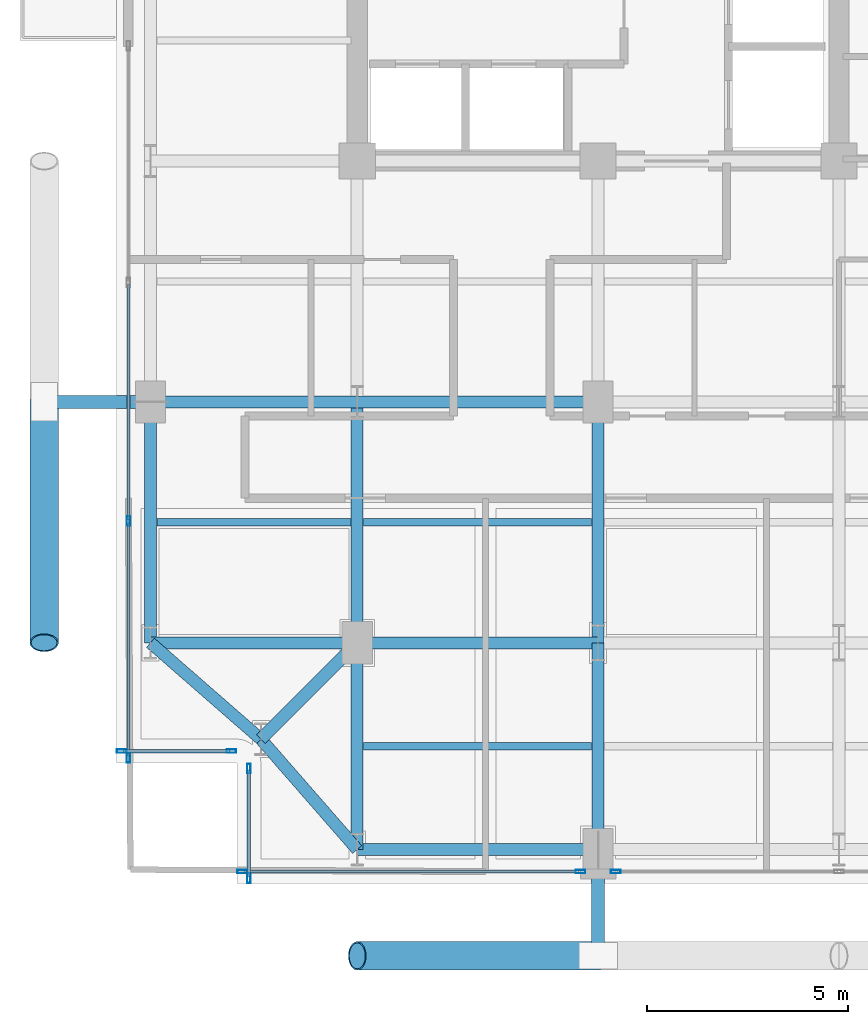
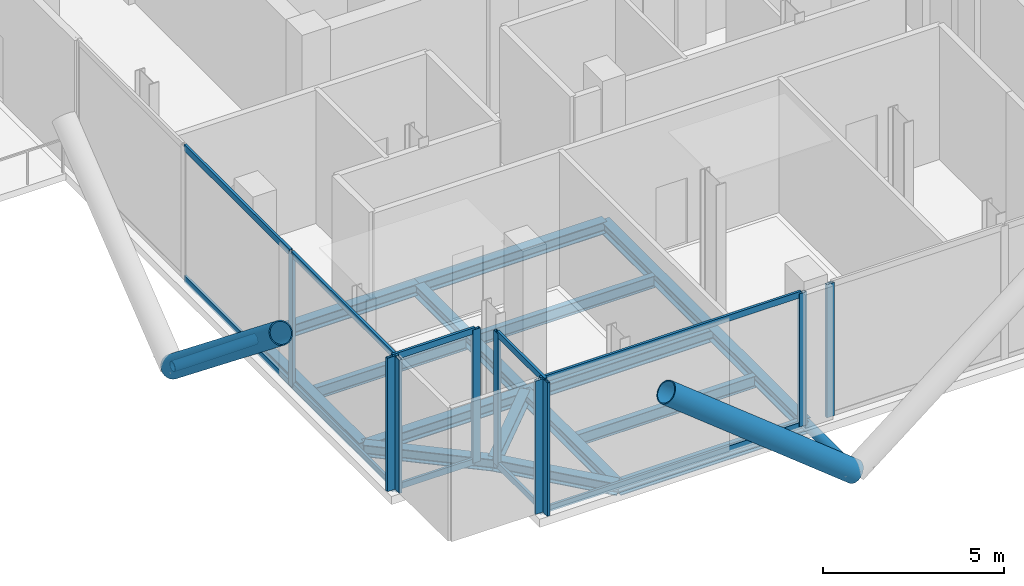
# One storey, part 2 of 22: 23 members, 16 beams, 5 elements without a shape of their own.
"""IFC4 building model written with IfcOpenShell, lengths in metres."""

from ifc_helpers import new_model, si_unit, direction, frame, origin, origin_2d, place, context, subcontext, project, spatial, hollow_rectangle, hollow_circle, i_section, extrude, material, layer, layer_set, material_profile, profile_set, type_object, element, aggregate, save


model = new_model("IFC4")

# Units and contexts
model_context = context("Model", 3, precision=1e-05, world=origin(), true_north=direction((0.0, 1.0)))
body_context = subcontext(model_context, "Body", "Model", "MODEL_VIEW")
ifc_project = project(units=[si_unit("LENGTHUNIT", "METRE"), si_unit("AREAUNIT", "SQUARE_METRE"), si_unit("VOLUMEUNIT", "CUBIC_METRE"), si_unit("PLANEANGLEUNIT", "RADIAN"), si_unit("MASSUNIT", "GRAM", prefix="KILO"), si_unit("THERMODYNAMICTEMPERATUREUNIT", "KELVIN"), si_unit("POWERUNIT", "WATT")], contexts=[model_context])

# Site, building, storey
site_placement = place(None, origin())
site = spatial("IfcSite", under=ifc_project, at=site_placement, CompositionType="ELEMENT")
building_placement = place(site_placement, origin())
building = spatial("IfcBuilding", under=site, at=building_placement, Name="Svarakhadi Broadcast Tower", CompositionType="ELEMENT")
storey_placement = place(building_placement, frame((0.0, 0.0, 199.199951171875)))
storey = spatial("IfcBuildingStorey", under=building, at=storey_placement, Name="L49", CompositionType="ELEMENT", Elevation=199.199951171875)

# Beams
ifc_material_1 = material(Name="Steel S355J2 (IS 2062 E350C)", Category="steel")
ifc_material_profile_1 = material_profile(ifc_material_1, i_section(OverallWidth=0.179931640625, OverallDepth=0.39990234375, WebThickness=0.008544921875, FlangeThickness=0.013427734375, FilletRadius=0.02099609375, at=origin_2d()), Name="NPB 400x180x66")
ifc_profile_set_1 = profile_set([ifc_material_profile_1], Name="Steel S355J2 (IS 2062 E350C)")
beam_type_1 = type_object("IfcBeamType", Name="Beam_NPB400", PredefinedType="BEAM", material=ifc_profile_set_1)
beam_1_placement = place(storey_placement, frame((1.010009765625, 9.0, -0.474853515625), z_axis=(1.0, 0.0, 0.0), x_axis=(0.0, 1.0, 0.0)))
element("IfcBeam", 1, at=beam_1_placement, inside=storey, type_object=beam_type_1, Name="L49 Secondary Composite Beam SB001", PredefinedType="BEAM", context=body_context, shape_type="SweptSolid", body=[
    extrude(i_section(OverallWidth=0.179931640625, OverallDepth=0.39990234375, WebThickness=0.008544921875, FlangeThickness=0.013427734375, FilletRadius=0.02099609375, at=origin_2d()), origin(), (0.0, 0.0, 1.0), 4.830078125),
])
for number, where, z_axis, x_axis, name in (
    (2, (6.159912109375, 3.425048828125, -0.474853515625), (1.0, 0.0, 0.0), (0.0, 1.0, 0.0), "L49 Secondary Composite Beam SB005"),
    (3, (6.159912109375, 9.0, -0.474853515625), (1.0, 0.0, 0.0), (0.0, 1.0, 0.0), "L49 Secondary Composite Beam SB006"),
):
    element("IfcBeam", number, at=place(storey_placement, frame(where, z_axis=z_axis, x_axis=x_axis)), inside=storey, type_object=beam_type_1, Name=name, PredefinedType="BEAM", context=body_context, shape_type="SweptSolid", body=[
        extrude(i_section(OverallWidth=0.179931640625, OverallDepth=0.39990234375, WebThickness=0.008544921875, FlangeThickness=0.013427734375, FilletRadius=0.02099609375, at=origin_2d()), origin(), (0.0, 0.0, 1.0), 5.68017578125),
    ])

# Curtain wall, members
ifc_material_2 = material(Name="Anodised Bronze Aluminium AA 6063-T6", Category="aluminium")
ifc_layer = layer(ifc_material_2, 0.239990234375)
ifc_layer_set = layer_set([ifc_layer], Name="Anodised Bronze Aluminium AA 6063-T6")
curtain_wall_type = type_object("IfcCurtainWallType", Name="CW_Sys_06", PredefinedType="NOTDEFINED", material=ifc_layer_set)
curtain_wall_1_placement = place(storey_placement, origin())
curtain_wall_1 = element("IfcCurtainWall", 4, at=curtain_wall_1_placement, inside=storey, type_object=curtain_wall_type, Name="L49 Unitised Facade Curtain Wall 01", PredefinedType="NOTDEFINED")
ifc_material_profile_2 = material_profile(ifc_material_2, hollow_rectangle(XDim=0.090087890625, YDim=0.239990234375, WallThickness=0.006103515625, at=origin_2d()), Name="ALU MULLION 240x90x6")
ifc_profile_set_2 = profile_set([ifc_material_profile_2], Name="Anodised Bronze Aluminium AA 6063-T6")
member_type_1 = type_object("IfcMemberType", Name="CW_Sys_06_Mul", PredefinedType="MULLION", material=ifc_profile_set_2)
member_1_placement = place(storey_placement, frame((2.864990234375, 3.300048828125, 0.0), z_axis=(0.0, 0.0, 1.0), x_axis=(0.0, -1.0, 0.0)))
member_1 = element("IfcMember", 5, at=member_1_placement, type_object=member_type_1, Name="CW-06 mullion 1", PredefinedType="MULLION", context=body_context, shape_type="SweptSolid", body=[
    extrude(hollow_rectangle(XDim=0.090087890625, YDim=0.239990234375, WallThickness=0.006103515625, at=origin_2d()), origin(), (0.0, 0.0, 1.0), 4.5),
])
member_2_placement = place(storey_placement, frame((0.135009765625, 3.300048828125, 0.0), z_axis=(0.0, 0.0, 1.0), x_axis=(0.0, -1.0, 0.0)))
member_2 = element("IfcMember", 6, at=member_2_placement, type_object=member_type_1, Name="CW-06 mullion 2", PredefinedType="MULLION", context=body_context, shape_type="SweptSolid", body=[
    extrude(hollow_rectangle(XDim=0.090087890625, YDim=0.239990234375, WallThickness=0.006103515625, at=origin_2d()), origin(), (0.0, 0.0, 1.0), 4.5),
])

curtain_wall_2_placement = place(storey_placement, origin())
curtain_wall_2 = element("IfcCurtainWall", 7, at=curtain_wall_2_placement, inside=storey, type_object=curtain_wall_type, Name="L49 West Curtain Wall 02", PredefinedType="NOTDEFINED")
member_3_placement = place(storey_placement, frame((0.300048828125, 3.135009765625, 0.0), z_axis=(0.0, 0.0, 1.0), x_axis=(-1.0, 0.0, 0.0)))
member_3 = element("IfcMember", 8, at=member_3_placement, type_object=member_type_1, Name="CW-06 mullion 1", PredefinedType="MULLION", context=body_context, shape_type="SweptSolid", body=[
    extrude(hollow_rectangle(XDim=0.090087890625, YDim=0.239990234375, WallThickness=0.006103515625, at=origin_2d()), origin(), (0.0, 0.0, 1.0), 4.5),
])
member_4_placement = place(storey_placement, frame((0.300048828125, 9.030029296875, 0.0), z_axis=(0.0, 0.0, 1.0), x_axis=(-1.0, 0.0, 0.0)))
member_4 = element("IfcMember", 9, at=member_4_placement, type_object=member_type_1, Name="CW-06 mullion 2", PredefinedType="MULLION", context=body_context, shape_type="SweptSolid", body=[
    extrude(hollow_rectangle(XDim=0.090087890625, YDim=0.239990234375, WallThickness=0.006103515625, at=origin_2d()), origin(), (0.0, 0.0, 1.0), 4.5),
])

# Curtain wall, member
curtain_wall_3_placement = place(storey_placement, origin())
curtain_wall_3 = element("IfcCurtainWall", 10, at=curtain_wall_3_placement, inside=storey, type_object=curtain_wall_type, Name="L49 South Curtain Wall 16 Bay 2", PredefinedType="NOTDEFINED")
member_5_placement = place(storey_placement, frame((12.43994140625, 0.300048828125, 0.0), z_axis=(0.0, 0.0, 1.0), x_axis=(0.0, -1.0, 0.0)))
member_5 = element("IfcMember", 11, at=member_5_placement, type_object=member_type_1, Name="CW-06 mullion 3", PredefinedType="MULLION", context=body_context, shape_type="SweptSolid", body=[
    extrude(hollow_rectangle(XDim=0.090087890625, YDim=0.239990234375, WallThickness=0.006103515625, at=origin_2d()), origin(), (0.0, 0.0, 1.0), 4.5),
])
aggregate(curtain_wall_3, [member_5])

# Curtain wall, members
curtain_wall_4_placement = place(storey_placement, origin())
curtain_wall_4 = element("IfcCurtainWall", 12, at=curtain_wall_4_placement, inside=storey, type_object=curtain_wall_type, Name="L49 South Curtain Wall 16 Bay 3", PredefinedType="NOTDEFINED")
member_6_placement = place(storey_placement, frame((11.56005859375, 0.300048828125, 0.0), z_axis=(0.0, 0.0, 1.0), x_axis=(0.0, -1.0, 0.0)))
member_6 = element("IfcMember", 13, at=member_6_placement, type_object=member_type_1, Name="CW-06 mullion 1", PredefinedType="MULLION", context=body_context, shape_type="SweptSolid", body=[
    extrude(hollow_rectangle(XDim=0.090087890625, YDim=0.239990234375, WallThickness=0.006103515625, at=origin_2d()), origin(), (0.0, 0.0, 1.0), 4.5),
])
member_7_placement = place(storey_placement, frame((3.135009765625, 0.300048828125, 0.0), z_axis=(0.0, 0.0, 1.0), x_axis=(0.0, -1.0, 0.0)))
member_7 = element("IfcMember", 14, at=member_7_placement, type_object=member_type_1, Name="CW-06 mullion 2", PredefinedType="MULLION", context=body_context, shape_type="SweptSolid", body=[
    extrude(hollow_rectangle(XDim=0.090087890625, YDim=0.239990234375, WallThickness=0.006103515625, at=origin_2d()), origin(), (0.0, 0.0, 1.0), 4.5),
])

curtain_wall_5_placement = place(storey_placement, origin())
curtain_wall_5 = element("IfcCurtainWall", 15, at=curtain_wall_5_placement, inside=storey, type_object=curtain_wall_type, Name="L49 Unitised Facade Curtain Wall 17", PredefinedType="NOTDEFINED")
member_8_placement = place(storey_placement, frame((3.300048828125, 0.135009765625, 0.0), z_axis=(0.0, 0.0, 1.0), x_axis=(-1.0, 0.0, 0.0)))
member_8 = element("IfcMember", 16, at=member_8_placement, type_object=member_type_1, Name="CW-06 mullion 1", PredefinedType="MULLION", context=body_context, shape_type="SweptSolid", body=[
    extrude(hollow_rectangle(XDim=0.090087890625, YDim=0.239990234375, WallThickness=0.006103515625, at=origin_2d()), origin(), (0.0, 0.0, 1.0), 4.5),
])
member_9_placement = place(storey_placement, frame((3.300048828125, 2.864990234375, 0.0), z_axis=(0.0, 0.0, 1.0), x_axis=(-1.0, 0.0, 0.0)))
member_9 = element("IfcMember", 17, at=member_9_placement, type_object=member_type_1, Name="CW-06 mullion 2", PredefinedType="MULLION", context=body_context, shape_type="SweptSolid", body=[
    extrude(hollow_rectangle(XDim=0.090087890625, YDim=0.239990234375, WallThickness=0.006103515625, at=origin_2d()), origin(), (0.0, 0.0, 1.0), 4.5),
])

# Member
ifc_material_profile_3 = material_profile(ifc_material_2, hollow_rectangle(XDim=0.080078125, YDim=0.2099609375, WallThickness=0.0048828125, at=origin_2d()), Name="ALU TRANSOM 210x80x5")
ifc_profile_set_3 = profile_set([ifc_material_profile_3], Name="Anodised Bronze Aluminium AA 6063-T6")
member_type_2 = type_object("IfcMemberType", Name="CW_Sys_06_Trn", PredefinedType="USERDEFINED", material=ifc_profile_set_3)
member_10_placement = place(storey_placement, frame((2.820068359375, 3.300048828125, 0.0400390625), z_axis=(-1.0, 0.0, 0.0), x_axis=(0.0, -1.0, 0.0)))
member_10 = element("IfcMember", 18, at=member_10_placement, type_object=member_type_2, Name="CW-06 transom 1.1", ObjectType="TRANSOM", PredefinedType="USERDEFINED", context=body_context, shape_type="SweptSolid", body=[
    extrude(hollow_rectangle(XDim=0.080078125, YDim=0.2099609375, WallThickness=0.0048828125, at=origin_2d()), origin(), (0.0, 0.0, 1.0), 2.64013671875),
])

member_11_placement = place(storey_placement, frame((2.820068359375, 3.300048828125, 4.4599609375), z_axis=(-1.0, 0.0, 0.0), x_axis=(0.0, -1.0, 0.0)))
member_11 = element("IfcMember", 19, at=member_11_placement, type_object=member_type_2, Name="CW-06 transom 1.2", ObjectType="TRANSOM", PredefinedType="USERDEFINED", context=body_context, shape_type="SweptSolid", body=[
    extrude(hollow_rectangle(XDim=0.080078125, YDim=0.2099609375, WallThickness=0.0048828125, at=origin_2d()), origin(), (0.0, 0.0, 1.0), 2.64013671875),
])

aggregate(curtain_wall_1, [member_1, member_2, member_10, member_11])

member_12_placement = place(storey_placement, frame((0.300048828125, 3.179931640625, 0.0400390625), z_axis=(0.0, 1.0, 0.0), x_axis=(-1.0, 0.0, 0.0)))
member_12 = element("IfcMember", 20, at=member_12_placement, type_object=member_type_2, Name="CW-06 transom 1.1", ObjectType="TRANSOM", PredefinedType="USERDEFINED", context=body_context, shape_type="SweptSolid", body=[
    extrude(hollow_rectangle(XDim=0.080078125, YDim=0.2099609375, WallThickness=0.0048828125, at=origin_2d()), origin(), (0.0, 0.0, 1.0), 5.80517578125),
])

member_13_placement = place(storey_placement, frame((0.300048828125, 3.179931640625, 4.4599609375), z_axis=(0.0, 1.0, 0.0), x_axis=(-1.0, 0.0, 0.0)))
member_13 = element("IfcMember", 21, at=member_13_placement, type_object=member_type_2, Name="CW-06 transom 1.2", ObjectType="TRANSOM", PredefinedType="USERDEFINED", context=body_context, shape_type="SweptSolid", body=[
    extrude(hollow_rectangle(XDim=0.080078125, YDim=0.2099609375, WallThickness=0.0048828125, at=origin_2d()), origin(), (0.0, 0.0, 1.0), 5.80517578125),
])

member_14_placement = place(storey_placement, frame((0.300048828125, 9.074951171875, 0.0400390625), z_axis=(0.0, 1.0, 0.0), x_axis=(-1.0, 0.0, 0.0)))
member_14 = element("IfcMember", 22, at=member_14_placement, type_object=member_type_2, Name="CW-06 transom 2.1", ObjectType="TRANSOM", PredefinedType="USERDEFINED", context=body_context, shape_type="SweptSolid", body=[
    extrude(hollow_rectangle(XDim=0.080078125, YDim=0.2099609375, WallThickness=0.0048828125, at=origin_2d()), origin(), (0.0, 0.0, 1.0), 5.85009765625),
])

member_15_placement = place(storey_placement, frame((0.300048828125, 9.074951171875, 4.4599609375), z_axis=(0.0, 1.0, 0.0), x_axis=(-1.0, 0.0, 0.0)))
member_15 = element("IfcMember", 23, at=member_15_placement, type_object=member_type_2, Name="CW-06 transom 2.2", ObjectType="TRANSOM", PredefinedType="USERDEFINED", context=body_context, shape_type="SweptSolid", body=[
    extrude(hollow_rectangle(XDim=0.080078125, YDim=0.2099609375, WallThickness=0.0048828125, at=origin_2d()), origin(), (0.0, 0.0, 1.0), 5.85009765625),
])

aggregate(curtain_wall_2, [member_3, member_4, member_12, member_13, member_14, member_15])

member_16_placement = place(storey_placement, frame((11.514892578125, 0.300048828125, 0.0400390625), z_axis=(-1.0, 0.0, 0.0), x_axis=(0.0, -1.0, 0.0)))
member_16 = element("IfcMember", 24, at=member_16_placement, type_object=member_type_2, Name="CW-06 transom 1.1", ObjectType="TRANSOM", PredefinedType="USERDEFINED", context=body_context, shape_type="SweptSolid", body=[
    extrude(hollow_rectangle(XDim=0.080078125, YDim=0.2099609375, WallThickness=0.0048828125, at=origin_2d()), origin(), (0.0, 0.0, 1.0), 8.3349609375),
])

member_17_placement = place(storey_placement, frame((11.514892578125, 0.300048828125, 4.4599609375), z_axis=(-1.0, 0.0, 0.0), x_axis=(0.0, -1.0, 0.0)))
member_17 = element("IfcMember", 25, at=member_17_placement, type_object=member_type_2, Name="CW-06 transom 1.2", ObjectType="TRANSOM", PredefinedType="USERDEFINED", context=body_context, shape_type="SweptSolid", body=[
    extrude(hollow_rectangle(XDim=0.080078125, YDim=0.2099609375, WallThickness=0.0048828125, at=origin_2d()), origin(), (0.0, 0.0, 1.0), 8.3349609375),
])

aggregate(curtain_wall_4, [member_6, member_7, member_16, member_17])

member_18_placement = place(storey_placement, frame((3.300048828125, 0.179931640625, 0.0400390625), z_axis=(0.0, 1.0, 0.0), x_axis=(-1.0, 0.0, 0.0)))
member_18 = element("IfcMember", 26, at=member_18_placement, type_object=member_type_2, Name="CW-06 transom 1.1", ObjectType="TRANSOM", PredefinedType="USERDEFINED", context=body_context, shape_type="SweptSolid", body=[
    extrude(hollow_rectangle(XDim=0.080078125, YDim=0.2099609375, WallThickness=0.0048828125, at=origin_2d()), origin(), (0.0, 0.0, 1.0), 2.64013671875),
])

member_19_placement = place(storey_placement, frame((3.300048828125, 0.179931640625, 4.4599609375), z_axis=(0.0, 1.0, 0.0), x_axis=(-1.0, 0.0, 0.0)))
member_19 = element("IfcMember", 27, at=member_19_placement, type_object=member_type_2, Name="CW-06 transom 1.2", ObjectType="TRANSOM", PredefinedType="USERDEFINED", context=body_context, shape_type="SweptSolid", body=[
    extrude(hollow_rectangle(XDim=0.080078125, YDim=0.2099609375, WallThickness=0.0048828125, at=origin_2d()), origin(), (0.0, 0.0, 1.0), 2.64013671875),
])

aggregate(curtain_wall_5, [member_8, member_9, member_18, member_19])

# Members
ifc_material_3 = material(Name="Steel S460ML (IS 2062 E450BR)", Category="steel")
ifc_material_profile_4 = material_profile(ifc_material_3, hollow_circle(Radius=0.35546875, WallThickness=0.034912109375, at=origin_2d()), Name="CHS 711x35")
ifc_profile_set_4 = profile_set([ifc_material_profile_4], Name="Steel S460ML (IS 2062 E450BR)")
member_type_3 = type_object("IfcMemberType", Name="Exo_Brace_CHS711", PredefinedType="BRACE", material=ifc_profile_set_4)
for number, where, z_axis, x_axis, name in (
    (28, (12.0, -1.800048828125, -0.43701171875), (-0.782447330292, 0.0, 0.622716769742), (0.0, -1.0, 0.0), "L49 Exposed Bronze Exoskeleton Diagonal S01"),
    (29, (-1.800048828125, 12.0, -0.43701171875), (0.0, -0.782447330292, 0.622716769742), (1.0, 0.0, 0.0), "L49 Exposed Bronze Exoskeleton Diagonal W04"),
):
    element("IfcMember", number, at=place(storey_placement, frame(where, z_axis=z_axis, x_axis=x_axis)), inside=storey, type_object=member_type_3, Name=name, PredefinedType="BRACE", context=body_context, shape_type="SweptSolid", body=[
        extrude(hollow_circle(Radius=0.35546875, WallThickness=0.034912109375, at=origin_2d()), origin(), (0.0, 0.0, 1.0), 7.668212890625),
    ])
ifc_material_profile_5 = material_profile(ifc_material_3, hollow_circle(Radius=0.161865234375, WallThickness=0.01611328125, at=origin_2d()), Name="CHS 323.9x16")
ifc_profile_set_5 = profile_set([ifc_material_profile_5], Name="Steel S460ML (IS 2062 E450BR)")
member_type_4 = type_object("IfcMemberType", Name="Exo_Radial_Strut_Z2", PredefinedType="STRUT", material=ifc_profile_set_5)
for number, where, z_axis, x_axis, name in (
    (30, (12.0, -1.800048828125, -0.43701171875), (0.0, 1.0, 0.0), (-1.0, 0.0, 0.0), "L49 Exoskeleton Radial Tie Strut S01"),
    (31, (-1.800048828125, 12.0, -0.43701171875), (1.0, 0.0, 0.0), (0.0, 1.0, 0.0), "L49 Exoskeleton Radial Tie Strut W03"),
):
    element("IfcMember", number, at=place(storey_placement, frame(where, z_axis=z_axis, x_axis=x_axis)), inside=storey, type_object=member_type_4, Name=name, PredefinedType="STRUT", context=body_context, shape_type="SweptSolid", body=[
        extrude(hollow_circle(Radius=0.161865234375, WallThickness=0.01611328125, at=origin_2d()), origin(), (0.0, 0.0, 1.0), 2.650146484375),
    ])

# Beams
ifc_material_profile_6 = material_profile(ifc_material_1, i_section(OverallWidth=0.300048828125, OverallDepth=0.39990234375, WebThickness=0.013427734375, FlangeThickness=0.02392578125, FilletRadius=0.027099609375, at=origin_2d()), Name="WPB 400x300x155")
ifc_profile_set_6 = profile_set([ifc_material_profile_6], Name="Steel S355J2 (IS 2062 E350C)")
beam_type_2 = type_object("IfcBeamType", Name="Girder_WPB400", PredefinedType="USERDEFINED", material=ifc_profile_set_6)
beam_2_placement = place(storey_placement, frame((3.60009765625, 3.60009765625, -0.474853515625), z_axis=(0.707106781187, 0.707106781187, 0.0), x_axis=(-0.707106781187, 0.707106781187, 0.0)))
element("IfcBeam", 32, at=beam_2_placement, inside=storey, type_object=beam_type_2, Name="L49 Corner Tie Girder G001", ObjectType="GIRDER", PredefinedType="USERDEFINED", context=body_context, shape_type="SweptSolid", body=[
    extrude(i_section(OverallWidth=0.300048828125, OverallDepth=0.39990234375, WebThickness=0.013427734375, FlangeThickness=0.02392578125, FilletRadius=0.027099609375, at=origin_2d()), origin(), (0.0, 0.0, 1.0), 3.39404296875),
])
for number, where, z_axis, x_axis, name in (
    (33, (3.60009765625, 3.60009765625, -0.474853515625), (-0.753437912176, 0.657519058655, 0.0), (-0.657519058655, -0.753437912176, 0.0), "L49 Corner Tie Girder G002"),
    (34, (3.60009765625, 3.60009765625, -0.474853515625), (0.657519058655, -0.753437912176, 0.0), (0.753437912176, 0.657519058655, 0.0), "L49 Corner Tie Girder G003"),
):
    element("IfcBeam", number, at=place(storey_placement, frame(where, z_axis=z_axis, x_axis=x_axis)), inside=storey, type_object=beam_type_2, Name=name, ObjectType="GIRDER", PredefinedType="USERDEFINED", context=body_context, shape_type="SweptSolid", body=[
        extrude(i_section(OverallWidth=0.300048828125, OverallDepth=0.39990234375, WebThickness=0.013427734375, FlangeThickness=0.02392578125, FilletRadius=0.027099609375, at=origin_2d()), origin(), (0.0, 0.0, 1.0), 3.64990234375),
    ])
beam_3_placement = place(storey_placement, frame((6.0, 0.85009765625, -0.474853515625), z_axis=(1.0, 0.0, 0.0), x_axis=(0.0, 1.0, 0.0)))
element("IfcBeam", 35, at=beam_3_placement, inside=storey, type_object=beam_type_2, Name="L49 Primary E-W Girder G004", ObjectType="GIRDER", PredefinedType="USERDEFINED", context=body_context, shape_type="SweptSolid", body=[
    extrude(i_section(OverallWidth=0.300048828125, OverallDepth=0.39990234375, WebThickness=0.013427734375, FlangeThickness=0.02392578125, FilletRadius=0.027099609375, at=origin_2d()), origin(), (0.0, 0.0, 1.0), 6.0),
])
beam_4_placement = place(storey_placement, frame((0.85009765625, 6.0, -0.474853515625), z_axis=(1.0, 0.0, 0.0), x_axis=(0.0, 1.0, 0.0)))
element("IfcBeam", 36, at=beam_4_placement, inside=storey, type_object=beam_type_2, Name="L49 Primary E-W Girder G009", ObjectType="GIRDER", PredefinedType="USERDEFINED", context=body_context, shape_type="SweptSolid", body=[
    extrude(i_section(OverallWidth=0.300048828125, OverallDepth=0.39990234375, WebThickness=0.013427734375, FlangeThickness=0.02392578125, FilletRadius=0.027099609375, at=origin_2d()), origin(), (0.0, 0.0, 1.0), 5.14990234375),
])
beam_5_placement = place(storey_placement, frame((6.0, 6.0, -0.474853515625), z_axis=(1.0, 0.0, 0.0), x_axis=(0.0, 1.0, 0.0)))
element("IfcBeam", 37, at=beam_5_placement, inside=storey, type_object=beam_type_2, Name="L49 Primary E-W Girder G010", ObjectType="GIRDER", PredefinedType="USERDEFINED", context=body_context, shape_type="SweptSolid", body=[
    extrude(i_section(OverallWidth=0.300048828125, OverallDepth=0.39990234375, WebThickness=0.013427734375, FlangeThickness=0.02392578125, FilletRadius=0.027099609375, at=origin_2d()), origin(), (0.0, 0.0, 1.0), 6.0),
])
beam_6_placement = place(storey_placement, frame((0.85009765625, 12.0, -0.474853515625), z_axis=(1.0, 0.0, 0.0), x_axis=(0.0, 1.0, 0.0)))
element("IfcBeam", 38, at=beam_6_placement, inside=storey, type_object=beam_type_2, Name="L49 Primary E-W Girder G015", ObjectType="GIRDER", PredefinedType="USERDEFINED", context=body_context, shape_type="SweptSolid", body=[
    extrude(i_section(OverallWidth=0.300048828125, OverallDepth=0.39990234375, WebThickness=0.013427734375, FlangeThickness=0.02392578125, FilletRadius=0.027099609375, at=origin_2d()), origin(), (0.0, 0.0, 1.0), 5.14990234375),
])
for number, where, z_axis, x_axis, name in (
    (39, (6.0, 12.0, -0.474853515625), (1.0, 0.0, 0.0), (0.0, 1.0, 0.0), "L49 Primary E-W Girder G016"),
    (40, (0.85009765625, 6.0, -0.474853515625), (0.0, 1.0, 0.0), (-1.0, 0.0, 0.0), "L49 Primary N-S Girder G033"),
):
    element("IfcBeam", number, at=place(storey_placement, frame(where, z_axis=z_axis, x_axis=x_axis)), inside=storey, type_object=beam_type_2, Name=name, ObjectType="GIRDER", PredefinedType="USERDEFINED", context=body_context, shape_type="SweptSolid", body=[
        extrude(i_section(OverallWidth=0.300048828125, OverallDepth=0.39990234375, WebThickness=0.013427734375, FlangeThickness=0.02392578125, FilletRadius=0.027099609375, at=origin_2d()), origin(), (0.0, 0.0, 1.0), 6.0),
    ])
beam_7_placement = place(storey_placement, frame((6.0, 0.85009765625, -0.474853515625), z_axis=(0.0, 1.0, 0.0), x_axis=(-1.0, 0.0, 0.0)))
element("IfcBeam", 41, at=beam_7_placement, inside=storey, type_object=beam_type_2, Name="L49 Primary N-S Girder G037", ObjectType="GIRDER", PredefinedType="USERDEFINED", context=body_context, shape_type="SweptSolid", body=[
    extrude(i_section(OverallWidth=0.300048828125, OverallDepth=0.39990234375, WebThickness=0.013427734375, FlangeThickness=0.02392578125, FilletRadius=0.027099609375, at=origin_2d()), origin(), (0.0, 0.0, 1.0), 5.14990234375),
])
beam_8_placement = place(storey_placement, frame((6.0, 6.0, -0.474853515625), z_axis=(0.0, 1.0, 0.0), x_axis=(-1.0, 0.0, 0.0)))
element("IfcBeam", 42, at=beam_8_placement, inside=storey, type_object=beam_type_2, Name="L49 Primary N-S Girder G038", ObjectType="GIRDER", PredefinedType="USERDEFINED", context=body_context, shape_type="SweptSolid", body=[
    extrude(i_section(OverallWidth=0.300048828125, OverallDepth=0.39990234375, WebThickness=0.013427734375, FlangeThickness=0.02392578125, FilletRadius=0.027099609375, at=origin_2d()), origin(), (0.0, 0.0, 1.0), 6.0),
])
beam_9_placement = place(storey_placement, frame((12.0, 0.85009765625, -0.474853515625), z_axis=(0.0, 1.0, 0.0), x_axis=(-1.0, 0.0, 0.0)))
element("IfcBeam", 43, at=beam_9_placement, inside=storey, type_object=beam_type_2, Name="L49 Primary N-S Girder G042", ObjectType="GIRDER", PredefinedType="USERDEFINED", context=body_context, shape_type="SweptSolid", body=[
    extrude(i_section(OverallWidth=0.300048828125, OverallDepth=0.39990234375, WebThickness=0.013427734375, FlangeThickness=0.02392578125, FilletRadius=0.027099609375, at=origin_2d()), origin(), (0.0, 0.0, 1.0), 5.14990234375),
])
beam_10_placement = place(storey_placement, frame((12.0, 6.0, -0.474853515625), z_axis=(0.0, 1.0, 0.0), x_axis=(-1.0, 0.0, 0.0)))
element("IfcBeam", 44, at=beam_10_placement, inside=storey, type_object=beam_type_2, Name="L49 Primary N-S Girder G043", ObjectType="GIRDER", PredefinedType="USERDEFINED", context=body_context, shape_type="SweptSolid", body=[
    extrude(i_section(OverallWidth=0.300048828125, OverallDepth=0.39990234375, WebThickness=0.013427734375, FlangeThickness=0.02392578125, FilletRadius=0.027099609375, at=origin_2d()), origin(), (0.0, 0.0, 1.0), 6.0),
])

save(model, "model.ifc")
